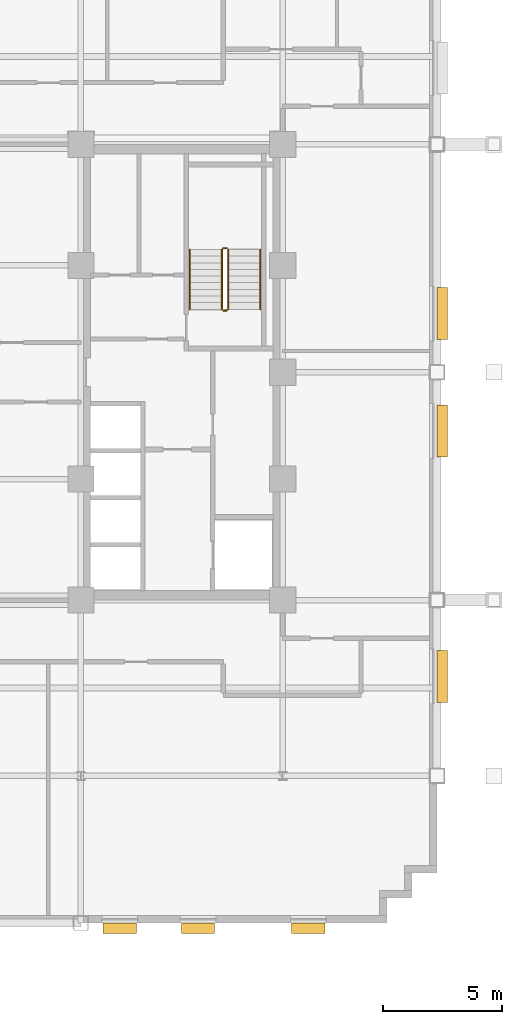
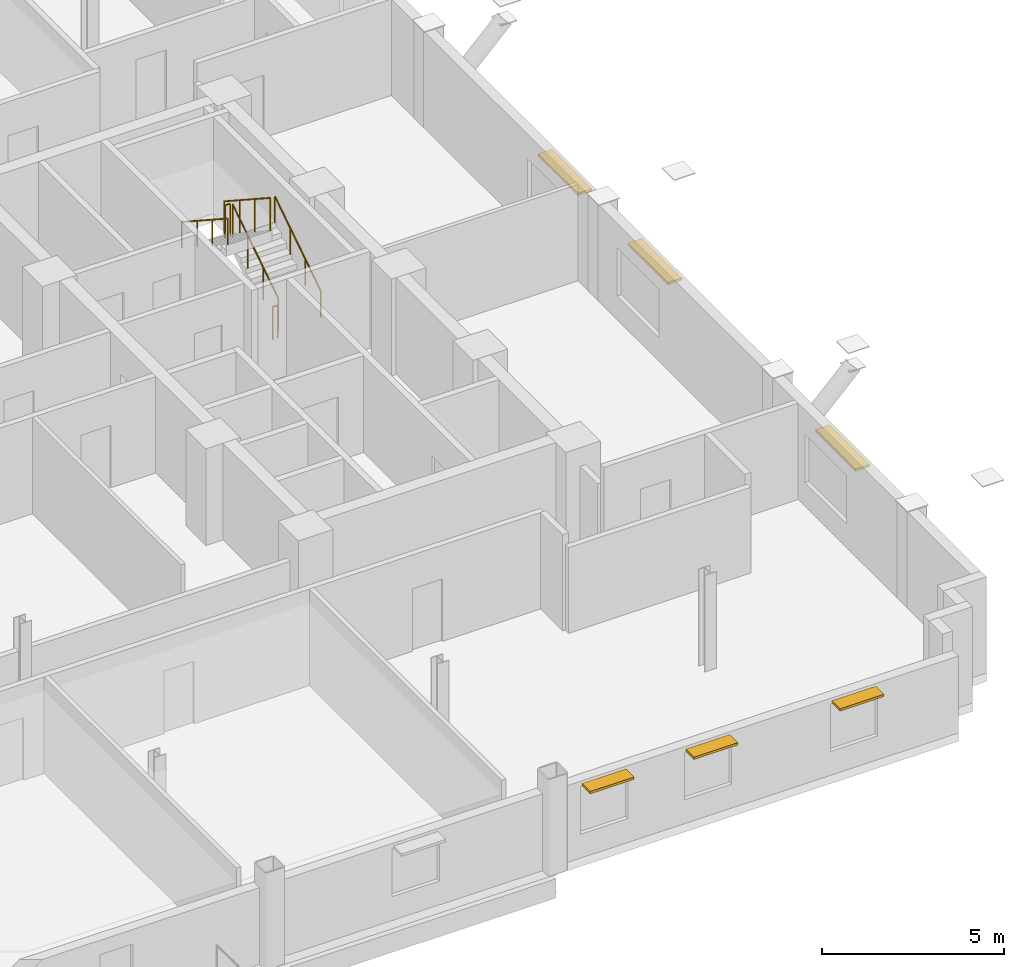
# One storey, part 13 of 14: 6 railings, 6 shading devices.
"""IFC4 building model written with IfcOpenShell, lengths in metres."""

from ifc_helpers import new_model, si_unit, direction, frame, origin, origin_2d, place, context, subcontext, project, spatial, rectangle, circle, extrude, source, transform, mapped, material, type_object, type_shapes, element, save


model = new_model("IFC4")

# Units and contexts
model_context = context("Model", 3, precision=1e-05, world=origin(), true_north=direction((0.0, 1.0)))
body_context = subcontext(model_context, "Body", "Model", "MODEL_VIEW")
ifc_project = project(units=[si_unit("LENGTHUNIT", "METRE"), si_unit("AREAUNIT", "SQUARE_METRE"), si_unit("VOLUMEUNIT", "CUBIC_METRE"), si_unit("PLANEANGLEUNIT", "RADIAN"), si_unit("MASSUNIT", "GRAM", prefix="KILO")], contexts=[model_context])

# Site, building, storey
site_placement = place(None, origin())
site = spatial("IfcSite", under=ifc_project, at=site_placement, CompositionType="ELEMENT")
building_placement = place(site_placement, origin())
building = spatial("IfcBuilding", under=site, at=building_placement, Name="Nuvemarco Arch Tower", CompositionType="ELEMENT")
storey_placement = place(building_placement, frame((0.0, 0.0, 112.89990234375)))
storey = spatial("IfcBuildingStorey", under=building, at=storey_placement, Name="L29", CompositionType="ELEMENT", Elevation=112.89990234375)

# Railings
ifc_material_1 = material(Name="Brushed stainless steel handrail", Category="steel")
railing_type_1 = type_object("IfcRailingType", Name="RL-HANDRAIL-900", PredefinedType="HANDRAIL", material=ifc_material_1)
railing_1_placement = place(storey_placement, frame((16.550048828125, 2.64990234375, 0.1826171875)))
element("IfcRailing", 1, at=railing_1_placement, inside=storey, type_object=railing_type_1, Name="L29 ST-2 stair handrail 1", PredefinedType="HANDRAIL", context=body_context, shape_type="SweptSolid", body=[
    extrude(circle(Radius=0.02392578125, at=origin_2d()), frame((0.0, 0.0, 0.8759765625), z_axis=(0.0, 0.837749427056, 0.546054848405), x_axis=(-1.0, 0.0, 0.0)), (0.0, 0.0, 1.0), 3.008056640625),
    extrude(circle(Radius=0.02099609375, at=origin_2d()), origin(), (0.0, 0.0, 1.0), 0.851806640625),
    extrude(circle(Radius=0.02099609375, at=origin_2d()), frame((0.0, 0.840087890625, 0.547607421875)), (0.0, 0.0, 1.0), 0.851806640625),
    extrude(circle(Radius=0.02099609375, at=origin_2d()), frame((0.0, 1.679931640625, 1.094970703125)), (0.0, 0.0, 1.0), 0.851806640625),
    extrude(circle(Radius=0.02099609375, at=origin_2d()), frame((0.0, 2.52001953125, 1.642578125)), (0.0, 0.0, 1.0), 0.851806640625),
])
railing_2_placement = place(storey_placement, frame((13.590087890625, 5.169921875, 2.007568359375)))
element("IfcRailing", 2, at=railing_2_placement, inside=storey, type_object=railing_type_1, Name="L29 ST-2 stair handrail 2", PredefinedType="HANDRAIL", context=body_context, shape_type="SweptSolid", body=[
    extrude(circle(Radius=0.02392578125, at=origin_2d()), frame((0.0, 0.0, 0.8759765625), z_axis=(0.0, -0.837749427056, 0.546054848405), x_axis=(1.0, 0.0, 0.0)), (0.0, 0.0, 1.0), 3.008056640625),
    extrude(circle(Radius=0.02099609375, at=origin_2d()), origin(), (0.0, 0.0, 1.0), 0.851806640625),
    extrude(circle(Radius=0.02099609375, at=origin_2d()), frame((0.0, -0.840087890625, 0.547607421875)), (0.0, 0.0, 1.0), 0.851806640625),
    extrude(circle(Radius=0.02099609375, at=origin_2d()), frame((0.0, -1.679931640625, 1.094970703125)), (0.0, 0.0, 1.0), 0.851806640625),
    extrude(circle(Radius=0.02099609375, at=origin_2d()), frame((0.0, -2.52001953125, 1.642578125)), (0.0, 0.0, 1.0), 0.851806640625),
])
ifc_material_2 = material(Name="Painted balustrade steel S355", Category="steel")
railing_type_2 = type_object("IfcRailingType", Name="RL-STAIR-GUARD", PredefinedType="GUARDRAIL", material=ifc_material_2)
railing_3_placement = place(storey_placement, frame((15.199951171875, 2.64990234375, 0.1826171875)))
element("IfcRailing", 3, at=railing_3_placement, inside=storey, type_object=railing_type_2, Name="L29 ST-2 stair guard 1", PredefinedType="GUARDRAIL", context=body_context, shape_type="SweptSolid", body=[
    extrude(circle(Radius=0.02392578125, at=origin_2d()), frame((0.0, 0.0, 1.09619140625), z_axis=(0.0, 0.837749427056, 0.546054848405), x_axis=(-1.0, 0.0, 0.0)), (0.0, 0.0, 1.0), 3.008056640625),
    extrude(circle(Radius=0.02099609375, at=origin_2d()), origin(), (0.0, 0.0, 1.0), 1.072021484375),
    extrude(circle(Radius=0.02099609375, at=origin_2d()), frame((0.0, 0.840087890625, 0.547607421875)), (0.0, 0.0, 1.0), 1.072021484375),
    extrude(circle(Radius=0.02099609375, at=origin_2d()), frame((0.0, 1.679931640625, 1.094970703125)), (0.0, 0.0, 1.0), 1.072021484375),
    extrude(circle(Radius=0.02099609375, at=origin_2d()), frame((0.0, 2.52001953125, 1.642578125)), (0.0, 0.0, 1.0), 1.072021484375),
])
railing_4_placement = place(storey_placement, frame((15.14990234375, 5.219970703125, 1.8251953125)))
element("IfcRailing", 4, at=railing_4_placement, inside=storey, type_object=railing_type_2, Name="L29 ST-2 stair guard 2", PredefinedType="GUARDRAIL", context=body_context, shape_type="SweptSolid", body=[
    extrude(circle(Radius=0.02392578125, at=origin_2d()), frame((0.0, 0.0, 1.09619140625), z_axis=(-1.0, 0.0, 0.0), x_axis=(0.0, -1.0, 0.0)), (0.0, 0.0, 1.0), 0.159912109375),
    extrude(circle(Radius=0.02099609375, at=origin_2d()), origin(), (0.0, 0.0, 1.0), 1.072021484375),
    extrude(circle(Radius=0.02099609375, at=origin_2d()), frame((-0.159912109375, 0.0, 0.0)), (0.0, 0.0, 1.0), 1.072021484375),
])
railing_5_placement = place(storey_placement, frame((14.93994140625, 5.169921875, 2.007568359375)))
element("IfcRailing", 5, at=railing_5_placement, inside=storey, type_object=railing_type_2, Name="L29 ST-2 stair guard 3", PredefinedType="GUARDRAIL", context=body_context, shape_type="SweptSolid", body=[
    extrude(circle(Radius=0.02392578125, at=origin_2d()), frame((0.0, 0.0, 1.09619140625), z_axis=(0.0, -0.837749427056, 0.546054848405), x_axis=(1.0, 0.0, 0.0)), (0.0, 0.0, 1.0), 3.008056640625),
    extrude(circle(Radius=0.02099609375, at=origin_2d()), origin(), (0.0, 0.0, 1.0), 1.072021484375),
    extrude(circle(Radius=0.02099609375, at=origin_2d()), frame((0.0, -0.840087890625, 0.547607421875)), (0.0, 0.0, 1.0), 1.072021484375),
    extrude(circle(Radius=0.02099609375, at=origin_2d()), frame((0.0, -1.679931640625, 1.094970703125)), (0.0, 0.0, 1.0), 1.072021484375),
    extrude(circle(Radius=0.02099609375, at=origin_2d()), frame((0.0, -2.52001953125, 1.642578125)), (0.0, 0.0, 1.0), 1.072021484375),
])
railing_6_placement = place(storey_placement, frame((15.14990234375, 2.60009765625, 0.0)))
element("IfcRailing", 6, at=railing_6_placement, inside=storey, type_object=railing_type_2, Name="L29 ST-2 stair guard 4", PredefinedType="GUARDRAIL", context=body_context, shape_type="SweptSolid", body=[
    extrude(circle(Radius=0.02392578125, at=origin_2d()), frame((0.0, 0.0, 1.09619140625), z_axis=(-1.0, 0.0, 0.0), x_axis=(0.0, -1.0, 0.0)), (0.0, 0.0, 1.0), 0.159912109375),
    extrude(circle(Radius=0.02099609375, at=origin_2d()), origin(), (0.0, 0.0, 1.0), 1.072021484375),
    extrude(circle(Radius=0.02099609375, at=origin_2d()), frame((-0.159912109375, 0.0, 0.0)), (0.0, 0.0, 1.0), 1.072021484375),
])

# Shading devices
ifc_material_3 = material(Name="Anodised aluminium 6063-T6", Category="aluminium")
shading_device_type_1 = type_object("IfcShadingDeviceType", Name="SHD-BRISE-SOLEIL", PredefinedType="USERDEFINED", material=ifc_material_3)
shared_shape_1 = source(origin(), body_context, "Body", "SweptSolid", [
    extrude(rectangle(XDim=2.199951171875, YDim=0.449951171875, at=origin_2d()), origin(), (0.0, 0.0, 1.0), 0.080078125),
])
type_shapes(shading_device_type_1, [shared_shape_1])
for number, where, z_axis, x_axis, name in (
    (7, (24.215087890625, -12.81494140625, 2.425048828125), (0.0, 0.0, 1.0), (0.0, 1.0, 0.0), "L29 horizontal brise-soleil sunshade"),
    (8, (24.215087890625, -2.472900390625, 2.425048828125), (0.0, 0.0, 1.0), (0.0, 1.0, 0.0), "L29 horizontal brise-soleil sunshade"),
    (9, (24.215087890625, 2.472900390625, 2.425048828125), (0.0, 0.0, 1.0), (0.0, 1.0, 0.0), "L29 horizontal brise-soleil sunshade"),
):
    element("IfcShadingDevice", number, at=place(storey_placement, frame(where, z_axis=z_axis, x_axis=x_axis)), inside=storey, type_object=shading_device_type_1, Name=name, ObjectType="SUNSHADE", PredefinedType="USERDEFINED", context=body_context, shape_type="MappedRepresentation", body=[
        mapped(shared_shape_1, transform((0.0, 0.0, 0.0), scale=1.0)),
    ])
shading_device_type_2 = type_object("IfcShadingDeviceType", Name="SHD-BRISE-NARROW", PredefinedType="USERDEFINED", material=ifc_material_3)
shared_shape_2 = source(origin(), body_context, "Body", "SweptSolid", [
    extrude(rectangle(XDim=1.39990234375, YDim=0.449951171875, at=origin_2d()), origin(), (0.0, 0.0, 1.0), 0.080078125),
])
type_shapes(shading_device_type_2, [shared_shape_2])
for number, where, z_axis, x_axis, name in (
    (10, (10.638916015625, -23.4150390625, 2.405029296875), (0.0, 0.0, 1.0), (1.0, 0.0, 0.0), "L29 horizontal brise-soleil sunshade"),
    (11, (13.933349609375, -23.4150390625, 2.405029296875), (0.0, 0.0, 1.0), (1.0, 0.0, 0.0), "L29 horizontal brise-soleil sunshade"),
    (12, (18.577880859375, -23.4150390625, 2.405029296875), (0.0, 0.0, 1.0), (1.0, 0.0, 0.0), "L29 horizontal brise-soleil sunshade"),
):
    element("IfcShadingDevice", number, at=place(storey_placement, frame(where, z_axis=z_axis, x_axis=x_axis)), inside=storey, type_object=shading_device_type_2, Name=name, ObjectType="SUNSHADE", PredefinedType="USERDEFINED", context=body_context, shape_type="MappedRepresentation", body=[
        mapped(shared_shape_2, transform((0.0, 0.0, 0.0), scale=1.0)),
    ])

save(model, "model.ifc")
